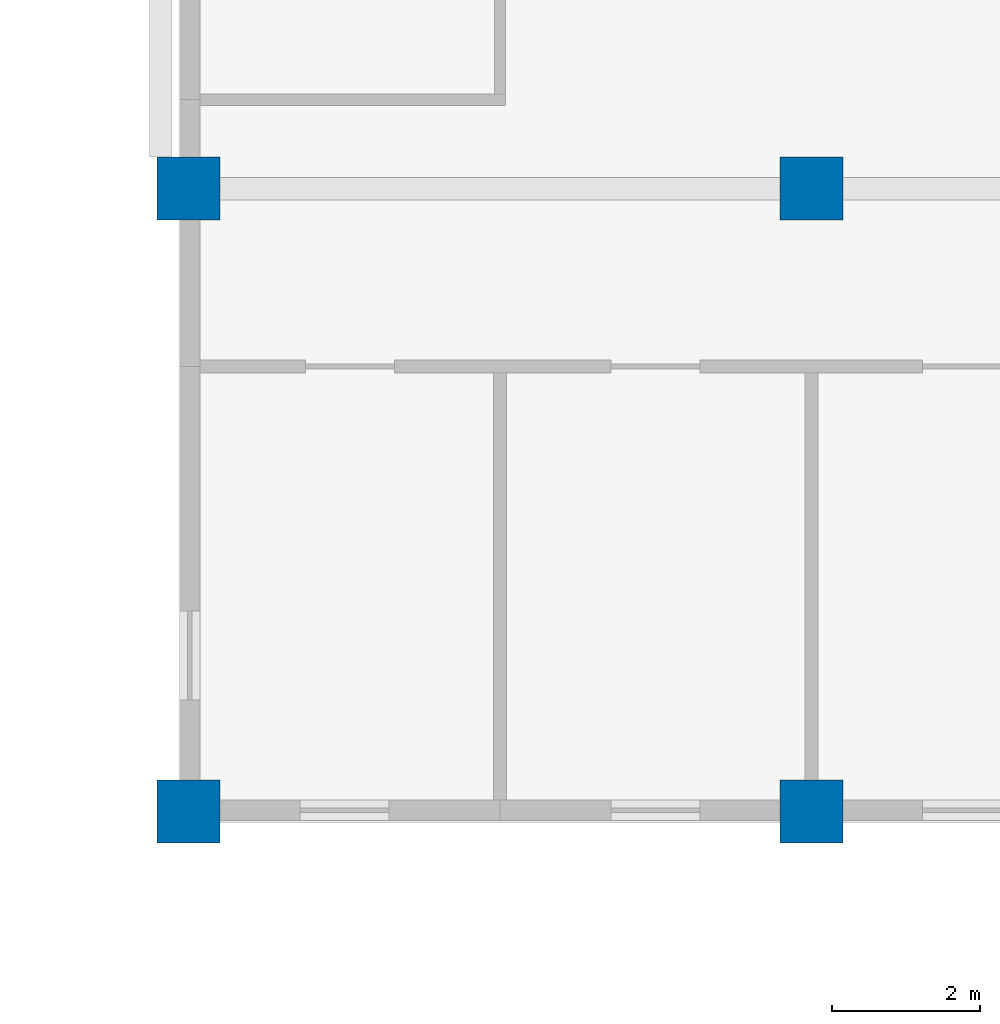
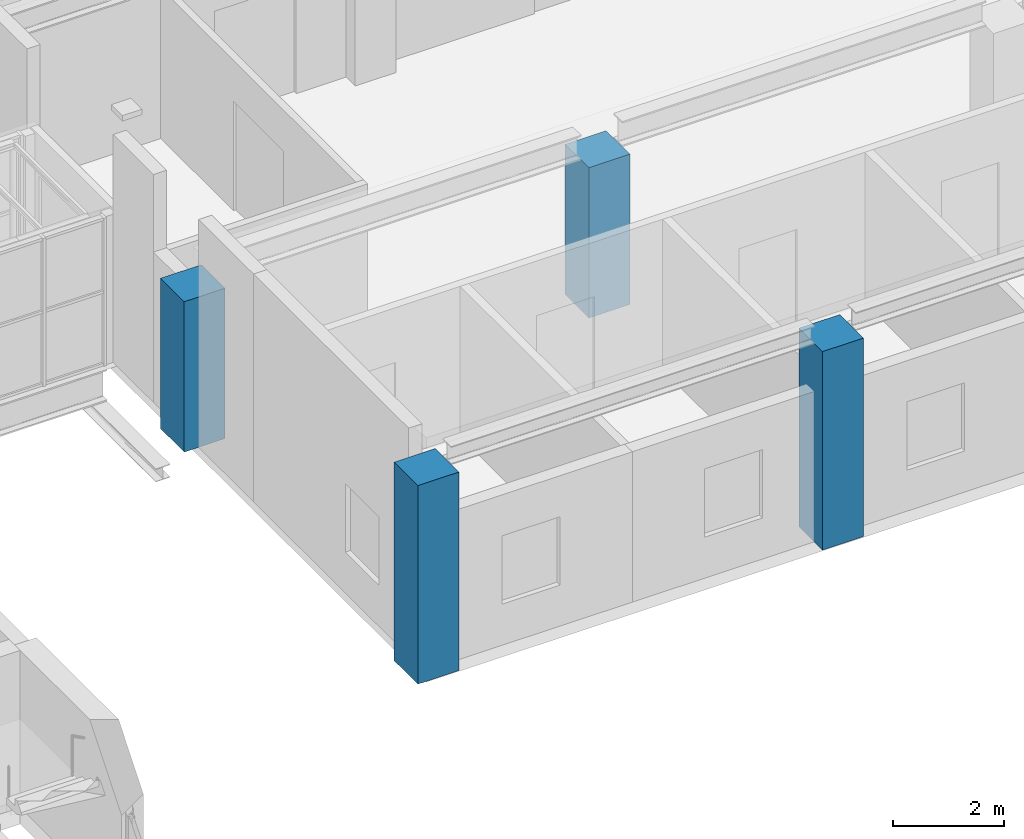
# One storey, part 3 of 94: 4 columns.
"""IFC4 building model written with IfcOpenShell, lengths in metres."""

from ifc_helpers import new_model, si_unit, direction, frame, origin, origin_2d, place, context, subcontext, project, spatial, rectangle, extrude, material, material_profile, profile_set, type_object, element, save


model = new_model("IFC4")

# Units and contexts
model_context = context("Model", 3, precision=1e-05, world=origin(), true_north=direction((0.0, 1.0)))
body_context = subcontext(model_context, "Body", "Model", "MODEL_VIEW")
ifc_project = project(units=[si_unit("LENGTHUNIT", "METRE"), si_unit("AREAUNIT", "SQUARE_METRE"), si_unit("VOLUMEUNIT", "CUBIC_METRE"), si_unit("PLANEANGLEUNIT", "RADIAN"), si_unit("MASSUNIT", "GRAM", prefix="KILO")], contexts=[model_context])

# Site, building, storey
site_placement = place(None, origin())
site = spatial("IfcSite", under=ifc_project, at=site_placement, CompositionType="ELEMENT")
building_placement = place(site_placement, origin())
building = spatial("IfcBuilding", under=site, at=building_placement, Name="Yavir Park General Hospital", CompositionType="ELEMENT")
storey_placement = place(building_placement, frame((0.0, 0.0, 4.5)))
storey = spatial("IfcBuildingStorey", under=building, at=storey_placement, Name="L01", CompositionType="ELEMENT", Elevation=4.5)

# Columns
ifc_material = material(Name="Concrete C40/50", Category="concrete")
ifc_material_profile = material_profile(ifc_material, rectangle(XDim=0.85009765625, YDim=0.85009765625, at=origin_2d()), Name="RC850x850")
ifc_profile_set = profile_set([ifc_material_profile], Name="Concrete C40/50")
column_type = type_object("IfcColumnType", Name="RC COLUMN 850x850", PredefinedType="COLUMN", material=ifc_profile_set)
for number, where, z_axis, x_axis, name in (
    (1, (33.60009765625, 50.39990234375, 0.0), (0.0, 0.0, 1.0), (1.0, 0.0, 0.0), "C:L01:5G"),
    (2, (42.0, 50.39990234375, 0.0), (0.0, 0.0, 1.0), (1.0, 0.0, 0.0), "C:L01:6G"),
):
    element("IfcColumn", number, at=place(storey_placement, frame(where, z_axis=z_axis, x_axis=x_axis)), inside=storey, type_object=column_type, Name=name, PredefinedType="COLUMN", context=body_context, shape_type="SweptSolid", body=[
        extrude(rectangle(XDim=0.85009765625, YDim=0.85009765625, at=origin_2d()), origin(), (0.0, 0.0, 1.0), 4.35791015625),
    ])
for number, where, z_axis, x_axis, name in (
    (3, (33.60009765625, 58.800048828125, 0.0), (0.0, 0.0, 1.0), (1.0, 0.0, 0.0), "C:L01:5H"),
    (4, (42.0, 58.800048828125, 0.0), (0.0, 0.0, 1.0), (1.0, 0.0, 0.0), "C:L01:6H"),
):
    element("IfcColumn", number, at=place(storey_placement, frame(where, z_axis=z_axis, x_axis=x_axis)), inside=storey, type_object=column_type, Name=name, PredefinedType="COLUMN", context=body_context, shape_type="SweptSolid", body=[
        extrude(rectangle(XDim=0.85009765625, YDim=0.85009765625, at=origin_2d()), origin(), (0.0, 0.0, 1.0), 3.300048828125),
    ])

save(model, "model.ifc")
